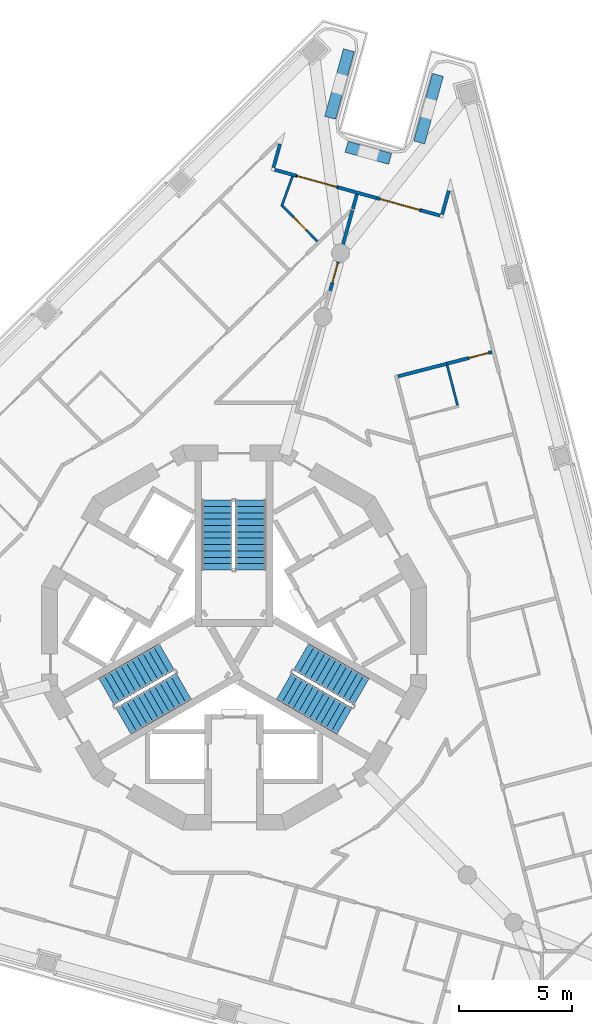
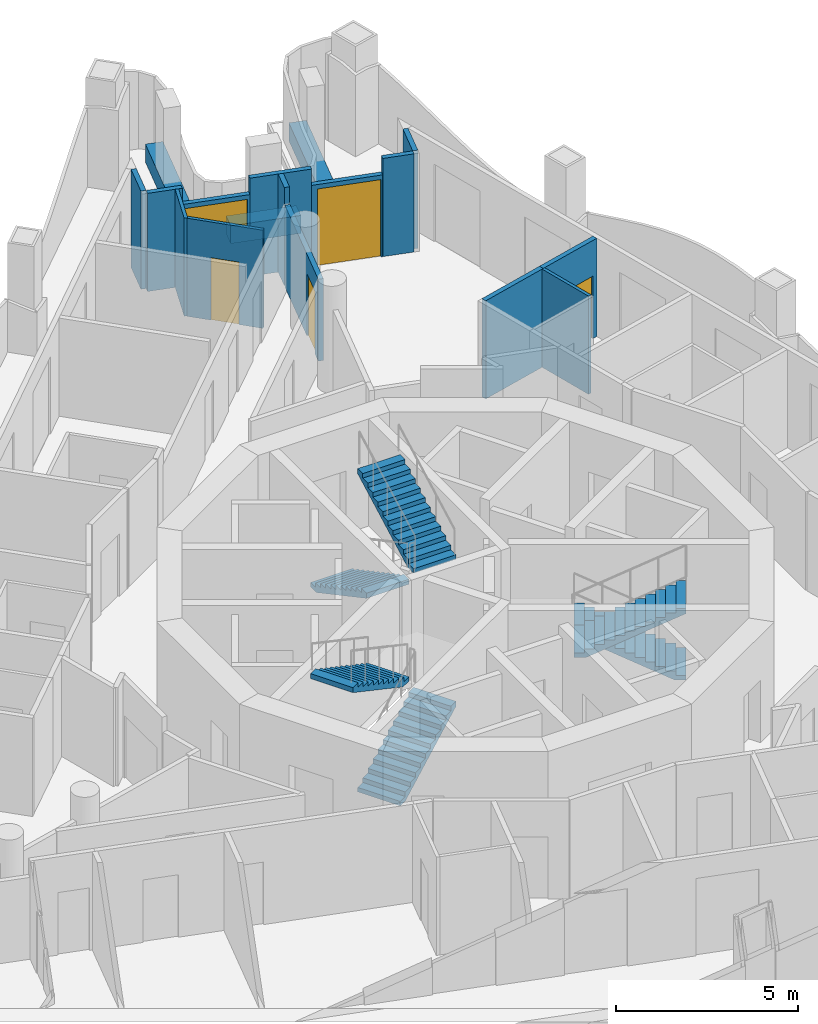
# One storey, part 8 of 14: 17 walls, 6 stair flights, 5 doors, 5 openings, 3 elements without a shape of their own.
"""IFC4 building model written with IfcOpenShell, lengths in metres."""

import ifcopenshell
import ifcopenshell.guid

model = None  # the IFC model being written
_history = None  # IfcOwnerHistory: only IFC2X3 demands one
_inside = {}  # id of a spatial element -> (the spatial element, [elements in it])
_under = {}  # id of a project, library or spatial element -> (it, [spatial elements below it])
_declared = {}  # id of a project -> (the project, [libraries it declares])
_typed = {}  # id of a type object -> (the type object, [elements of that type])
_made_of = {}  # id of a material, layer set ... -> (it, [elements and type objects made of it])


def new_model(schema):
    """Start an empty IFC model of exactly this schema.

    Asked for "IFC4X3", IfcOpenShell would pick the latest addendum, in which some entities
    have other attributes; the version numbers below select the first issue.
    IFC2X3 requires an IfcOwnerHistory on every rooted entity: one is made here for all.
    """
    global model, _history
    if schema == "IFC4X3":
        model = ifcopenshell.file(schema_version=(4, 3, 0, 0))
    else:
        model = ifcopenshell.file(schema=schema)
    _inside.clear()
    _under.clear()
    _declared.clear()
    _typed.clear()
    _made_of.clear()
    _history = None
    if model.schema == "IFC2X3":
        org = make("IfcOrganization", Name="unknown")
        user = make(
            "IfcPersonAndOrganization",
            ThePerson=make("IfcPerson", FamilyName="unknown"),
            TheOrganization=org,
        )
        app = make(
            "IfcApplication",
            ApplicationDeveloper=org,
            Version="unknown",
            ApplicationFullName="unknown",
            ApplicationIdentifier="unknown",
        )
        _history = make(
            "IfcOwnerHistory",
            OwningUser=user,
            OwningApplication=app,
            ChangeAction="ADDED",
            CreationDate=0,
        )
    return model


def make(cls, **values):
    """One entity of the class cls with the attributes given. An attribute that is None is left unset."""
    return model.create_entity(
        cls, **{name: value for name, value in values.items() if value is not None}
    )


def rooted(cls, **values):
    """An entity with a GlobalId (a new one), such as an element, a storey or a relation."""
    return make(cls, GlobalId=ifcopenshell.guid.new(), OwnerHistory=_history, **values)


def si_unit(unit_type, name, prefix=None):
    """IfcSIUnit, for example si_unit("LENGTHUNIT", "METRE", prefix="MILLI")."""
    return make("IfcSIUnit", UnitType=unit_type, Prefix=prefix, Name=name)


def assignment(units):
    """IfcUnitAssignment: the units of a project."""
    return None if units is None else make("IfcUnitAssignment", Units=units)


def point(xyz):
    """IfcCartesianPoint."""
    return None if xyz is None else make("IfcCartesianPoint", Coordinates=xyz)


def direction(xyz):
    """IfcDirection."""
    return None if xyz is None else make("IfcDirection", DirectionRatios=xyz)


def frame(location, z_axis=None, x_axis=None):
    """IfcAxis2Placement3D, a coordinate frame: its origin and axes. An axis left out is left unset."""
    return make(
        "IfcAxis2Placement3D",
        Location=point(location),
        Axis=direction(z_axis),
        RefDirection=direction(x_axis),
    )


def frame_2d(location, x_axis=None):
    """IfcAxis2Placement2D, a coordinate frame in the plane: its origin and x axis."""
    return make(
        "IfcAxis2Placement2D", Location=point(location), RefDirection=direction(x_axis)
    )


def origin():
    """The frame at (0, 0, 0) with its axes left unset."""
    return frame((0.0, 0.0, 0.0))


def place(relative_to, where):
    """IfcLocalPlacement: puts the frame where relative to a parent placement (None: the world)."""
    return make(
        "IfcLocalPlacement", PlacementRelTo=relative_to, RelativePlacement=where
    )


def context(
    kind, dimensions, precision=None, world=None, true_north=None, identifier=None
):
    """IfcGeometricRepresentationContext, for example the 3D "Model" context."""
    return make(
        "IfcGeometricRepresentationContext",
        ContextIdentifier=identifier,
        ContextType=kind,
        CoordinateSpaceDimension=dimensions,
        Precision=precision,
        WorldCoordinateSystem=world,
        TrueNorth=true_north,
    )


def subcontext(parent, identifier, kind, view, scale=None):
    """IfcGeometricRepresentationSubContext, for example "Body" below "Model"."""
    return make(
        "IfcGeometricRepresentationSubContext",
        ContextIdentifier=identifier,
        ContextType=kind,
        ParentContext=parent,
        TargetScale=scale,
        TargetView=view,
    )


def project(units=None, contexts=None):
    """IfcProject with its units and contexts."""
    return rooted(
        "IfcProject",
        Name="project",
        RepresentationContexts=contexts,
        UnitsInContext=assignment(units),
    )


def spatial(cls, under=None, at=None, **own):
    """A site, building, storey or space (cls), placed at a placement, below another one or the project."""
    s = rooted(cls, ObjectPlacement=at, **own)
    if under is not None:
        _under.setdefault(under.id(), (under, []))[1].append(s)
    return s


def polyline(points):
    """IfcPolyline through the points."""
    return make("IfcPolyline", Points=[point(p) for p in points])


def profile(cls, at=None, kind="AREA", **sizes):
    """A parametric profile (cls). Its sizes go by their IFC names, for example OverallWidth=200.0."""
    return make(cls, ProfileType=kind, Position=at, **sizes)


def rectangle(**sizes):
    """IfcRectangleProfileDef."""
    return profile("IfcRectangleProfileDef", **sizes)


def outline(outer, holes=None, kind="AREA"):
    """IfcArbitraryClosedProfileDef: a profile drawn as a closed curve; with holes, ...WithVoids."""
    if holes is None:
        return make("IfcArbitraryClosedProfileDef", ProfileType=kind, OuterCurve=outer)
    return make(
        "IfcArbitraryProfileDefWithVoids",
        ProfileType=kind,
        OuterCurve=outer,
        InnerCurves=holes,
    )


def extrude(swept, where, along, depth):
    """IfcExtrudedAreaSolid: the profile swept, set in the frame where, extruded along a direction by depth."""
    return make(
        "IfcExtrudedAreaSolid",
        SweptArea=swept,
        Position=where,
        ExtrudedDirection=direction(along),
        Depth=depth,
    )


def shape(context_of_items, identifier, shape_type, items):
    """IfcShapeRepresentation: the items that make up one representation, for example the "Body"."""
    return make(
        "IfcShapeRepresentation",
        ContextOfItems=context_of_items,
        RepresentationIdentifier=identifier,
        RepresentationType=shape_type,
        Items=items,
    )


def material(Name=None, Category=None):
    """IfcMaterial."""
    return make("IfcMaterial", Name=Name, Category=Category)


def layer(
    of_material, thickness, ventilated=None, Name=None, Category=None, Priority=None
):
    """IfcMaterialLayer: one layer of a wall or slab, of a material (None: an air gap)."""
    return make(
        "IfcMaterialLayer",
        Material=of_material,
        LayerThickness=thickness,
        IsVentilated=ventilated,
        Name=Name,
        Category=Category,
        Priority=Priority,
    )


def layer_set(layers, Name=None):
    """IfcMaterialLayerSet."""
    return make("IfcMaterialLayerSet", MaterialLayers=layers, LayerSetName=Name)


def made_of(thing, what):
    """Note that an element or type object is made of a material, layer set ...; save() writes the relation."""
    if what is not None:
        _made_of.setdefault(what.id(), (what, []))[1].append(thing)
    return thing


def type_object(cls, material=None, **own):
    """A type object (cls), such as IfcWallType, which elements share."""
    return made_of(rooted(cls, **own), material)


def element(
    cls,
    number,
    at=None,
    inside=None,
    cuts=None,
    type_object=None,
    material=None,
    context=None,
    identifier="Body",
    shape_type=None,
    held_by="IfcProductDefinitionShape",
    body=None,
    shapes=None,
    **own,
):
    """One element of the class cls, such as IfcWall. Its Tag is "e" and its number.

    at: its placement. inside: the storey or other place that contains it. cuts: it is an
    opening in that element (IfcRelVoidsElement). A single representation is given by context,
    identifier, shape_type and body (its items); several are given by shapes. held_by: the class
    of the entity that holds the representations. save() writes the other relations.
    """
    e = rooted(cls, Tag="e%d" % number, ObjectPlacement=at, **own)
    if body is not None:
        shapes = [shape(context, identifier, shape_type, body)]
    if shapes is not None:
        e.Representation = make(held_by, Representations=shapes)
    if inside is not None:
        _inside.setdefault(inside.id(), (inside, []))[1].append(e)
    if cuts is not None:
        rooted(
            "IfcRelVoidsElement", RelatingBuildingElement=cuts, RelatedOpeningElement=e
        )
    if type_object is not None:
        _typed.setdefault(type_object.id(), (type_object, []))[1].append(e)
    return made_of(e, material)


def fill(opening, filler):
    """IfcRelFillsElement: the door or window that sits in an opening."""
    return rooted(
        "IfcRelFillsElement",
        RelatingOpeningElement=opening,
        RelatedBuildingElement=filler,
    )


def aggregate(whole, parts):
    """IfcRelAggregates: a whole, such as a stair, and the parts it consists of."""
    return rooted("IfcRelAggregates", RelatingObject=whole, RelatedObjects=parts)


def save(model, path):
    """Write the relations noted so far, then the file.

    IfcRelAggregates (storeys below a building ...), IfcRelContainedInSpatialStructure (elements
    in a storey), IfcRelDefinesByType, IfcRelAssociatesMaterial and IfcRelDeclares: one each for
    every whole, place, type object, material and project.
    """
    for whole, parts in _under.values():
        aggregate(whole, parts)
    for where, things in _inside.values():
        rooted(
            "IfcRelContainedInSpatialStructure",
            RelatedElements=things,
            RelatingStructure=where,
        )
    for kind, things in _typed.values():
        rooted("IfcRelDefinesByType", RelatedObjects=things, RelatingType=kind)
    for what, things in _made_of.values():
        rooted("IfcRelAssociatesMaterial", RelatedObjects=things, RelatingMaterial=what)
    for by, libraries in _declared.values():
        rooted("IfcRelDeclares", RelatingContext=by, RelatedDefinitions=libraries)
    model.write(path)


model = new_model("IFC4")

# Units and contexts
model_context = context("Model", 3, precision=1e-05, world=origin(), true_north=direction((0.0, 1.0)))
body_context = subcontext(model_context, "Body", "Model", "MODEL_VIEW")
ifc_project = project(units=[si_unit("LENGTHUNIT", "METRE"), si_unit("AREAUNIT", "SQUARE_METRE"), si_unit("VOLUMEUNIT", "CUBIC_METRE"), si_unit("PLANEANGLEUNIT", "RADIAN"), si_unit("MASSUNIT", "GRAM", prefix="KILO")], contexts=[model_context])

# Site, building, storey
site_placement = place(None, origin())
site = spatial("IfcSite", under=ifc_project, at=site_placement, CompositionType="ELEMENT")
building_placement = place(site_placement, origin())
building = spatial("IfcBuilding", under=site, at=building_placement, Name="Trine Commons Tower", CompositionType="ELEMENT")
storey_placement = place(building_placement, frame((0.0, 0.0, 252.89990234375)))
storey = spatial("IfcBuildingStorey", under=building, at=storey_placement, Name="L66", CompositionType="ELEMENT", Elevation=252.89990234375)

# Walls
ifc_material_1 = material(Name="Aluminium-framed insulated wall panel", Category="aluminium")
ifc_layer_1 = layer(ifc_material_1, 0.14990234375)
ifc_layer_set_1 = layer_set([ifc_layer_1], Name="Aluminium-framed insulated wall panel")
wall_type_1 = type_object("IfcWallType", Name="Glazed frame wall 150, EI 60", PredefinedType="SOLIDWALL", material=ifc_layer_set_1)
wall_1_placement = place(storey_placement, frame((82.07470703125, 84.444091796875, 0.0), z_axis=(0.0, 0.0, 1.0), x_axis=(-0.267185113528, -0.963645222636, 0.0)))
element("IfcWall", 1, at=wall_1_placement, inside=storey, type_object=wall_type_1, Name="Glazed frame wall R2", PredefinedType="SOLIDWALL", context=body_context, shape_type="SweptSolid", body=[
    extrude(outline(polyline([(0.1494140625, 0.074951171875), (0.1494140625, -0.074951171875), (1.235107421875, -0.074951171875), (1.235107421875, 0.074951171875), (0.1494140625, 0.074951171875)])), origin(), (0.0, 0.0, 1.0), 3.300048828125),
])
wall_2_placement = place(storey_placement, frame((81.69091796875, 83.19091796875, 0.0), z_axis=(0.0, 0.0, 1.0), x_axis=(0.963695763094, -0.267002764395, 0.0)))
element("IfcWall", 2, at=wall_2_placement, inside=storey, type_object=wall_type_1, Name="Glazed frame wall P1.1", PredefinedType="SOLIDWALL", context=body_context, shape_type="SweptSolid", body=[
    extrude(outline(polyline([(0.110107421875, -0.074951171875), (1.10009765625, -0.074951171875), (1.10009765625, 0.074951171875), (0.110107421875, 0.074951171875), (0.110107421875, -0.074951171875)])), origin(), (0.0, 0.0, 1.0), 3.300048828125),
])

# Wall, opening, door
wall_3_placement = place(storey_placement, frame((82.7509765625, 82.897216796875, 0.0), z_axis=(0.0, 0.0, 1.0), x_axis=(0.963605233176, -0.267329299921, 0.0)))
wall_3 = element("IfcWall", 3, at=wall_3_placement, inside=storey, type_object=wall_type_1, Name="Glazed frame wall P1.2", PredefinedType="SOLIDWALL", context=body_context, shape_type="SweptSolid", body=[
    extrude(outline(polyline([(0.0, -0.074951171875), (1.92138671875, -0.074951171875), (1.92138671875, 0.074951171875), (0.0, 0.074951171875), (0.0, -0.074951171875)])), origin(), (0.0, 0.0, 1.0), 2.75),
])
opening_1_placement = place(wall_3_placement, frame((0.050048828125, 0.0, 0.0)))
opening_1 = element("IfcOpeningElement", 4, at=opening_1_placement, cuts=wall_3, Name="Opening BD-7P1-01", PredefinedType="OPENING", context=body_context, shape_type="SweptSolid", body=[
    extrude(rectangle(XDim=1.800048828125, YDim=2.60009765625, at=frame_2d((0.89990234375, 1.300048828125))), frame((0.0, 0.0849609375, 0.0), z_axis=(0.0, -1.0, 0.0), x_axis=(1.0, 0.0, 0.0)), (0.0, 0.0, 1.0), 0.169921875),
])
ifc_material_2 = material(Name="Anodised aluminium frame with double glazing", Category="aluminium")
door_type_1 = type_object("IfcDoorType", Name="Sliding loggia door 1800x2600", OperationType="SLIDING_TO_LEFT", PredefinedType="DOOR", material=ifc_material_2)
door_1_placement = place(opening_1_placement, origin())
door_1 = element("IfcDoor", 5, at=door_1_placement, inside=storey, type_object=door_type_1, Name="Loggia door P1 1", OperationType="SLIDING_TO_LEFT", OverallHeight=2.60009765625, OverallWidth=1.800048828125, PredefinedType="DOOR", context=body_context, shape_type="SweptSolid", body=[
    extrude(rectangle(XDim=1.800048828125, YDim=2.60009765625, at=frame_2d((0.89990234375, 1.300048828125))), frame((0.0, 0.02490234375, 0.0), z_axis=(0.0, -1.0, 0.0), x_axis=(1.0, 0.0, 0.0)), (0.0, 0.0, 1.0), 0.050048828125),
])
fill(opening_1, door_1)

# Wall
wall_4_placement = place(storey_placement, frame((84.6025390625, 82.383544921875, 0.0), z_axis=(0.0, 0.0, 1.0), x_axis=(0.963649164221, -0.267170897174, 0.0)))
element("IfcWall", 6, at=wall_4_placement, inside=storey, type_object=wall_type_1, Name="Glazed frame wall P1.3", PredefinedType="SOLIDWALL", context=body_context, shape_type="SweptSolid", body=[
    extrude(outline(polyline([(0.0, -0.074951171875), (1.757080078125, -0.074951171875), (1.757080078125, 0.074951171875), (0.0, 0.074951171875), (0.0, -0.074951171875)])), origin(), (0.0, 0.0, 1.0), 3.300048828125),
])

# Wall, opening, door
wall_5_placement = place(storey_placement, frame((86.2958984375, 81.9140625, 0.0), z_axis=(0.0, 0.0, 1.0), x_axis=(0.963614750545, -0.267294991596, 0.0)))
wall_5 = element("IfcWall", 7, at=wall_5_placement, inside=storey, type_object=wall_type_1, Name="Glazed frame wall P1.4", PredefinedType="SOLIDWALL", context=body_context, shape_type="SweptSolid", body=[
    extrude(outline(polyline([(0.0, -0.074951171875), (2.021484375, -0.074951171875), (2.021484375, 0.074951171875), (0.0, 0.074951171875), (0.0, -0.074951171875)])), origin(), (0.0, 0.0, 1.0), 2.75),
])
opening_2_placement = place(wall_5_placement, frame((0.17138671875, 0.0, 0.0)))
opening_2 = element("IfcOpeningElement", 8, at=opening_2_placement, cuts=wall_5, Name="Opening BD-7P1-02", PredefinedType="OPENING", context=body_context, shape_type="SweptSolid", body=[
    extrude(rectangle(XDim=1.800048828125, YDim=2.60009765625, at=frame_2d((0.89990234375, 1.300048828125))), frame((0.0, 0.0849609375, 0.0), z_axis=(0.0, -1.0, 0.0), x_axis=(1.0, 0.0, 0.0)), (0.0, 0.0, 1.0), 0.169921875),
])
door_2_placement = place(opening_2_placement, origin())
door_2 = element("IfcDoor", 9, at=door_2_placement, inside=storey, type_object=door_type_1, Name="Loggia door P1 2", OperationType="SLIDING_TO_LEFT", OverallHeight=2.60009765625, OverallWidth=1.800048828125, PredefinedType="DOOR", context=body_context, shape_type="SweptSolid", body=[
    extrude(rectangle(XDim=1.800048828125, YDim=2.60009765625, at=frame_2d((0.89990234375, 1.300048828125))), frame((0.0, 0.02490234375, 0.0), z_axis=(0.0, -1.0, 0.0), x_axis=(1.0, 0.0, 0.0)), (0.0, 0.0, 1.0), 0.050048828125),
])
fill(opening_2, door_2)

# Walls
wall_6_placement = place(storey_placement, frame((88.24365234375, 81.373779296875, 0.0), z_axis=(0.0, 0.0, 1.0), x_axis=(0.963668166343, -0.267102349627, 0.0)))
element("IfcWall", 10, at=wall_6_placement, inside=storey, type_object=wall_type_1, Name="Glazed frame wall P1.5", PredefinedType="SOLIDWALL", context=body_context, shape_type="SweptSolid", body=[
    extrude(outline(polyline([(0.889892578125, 0.074951171875), (0.0, 0.074951171875), (0.0, -0.074951171875), (0.889892578125, -0.074951171875), (0.889892578125, 0.074951171875)])), origin(), (0.0, 0.0, 1.0), 3.300048828125),
])
wall_7_placement = place(storey_placement, frame((89.164306640625, 81.082275390625, 0.0), z_axis=(0.0, 0.0, 1.0), x_axis=(0.267185113528, 0.963645222636, 0.0)))
element("IfcWall", 11, at=wall_7_placement, inside=storey, type_object=wall_type_1, Name="Glazed frame wall R4", PredefinedType="SOLIDWALL", context=body_context, shape_type="SweptSolid", body=[
    extrude(outline(polyline([(0.110107421875, 0.074951171875), (0.110107421875, -0.074951171875), (1.19580078125, -0.074951171875), (1.19580078125, 0.074951171875), (0.110107421875, 0.074951171875)])), origin(), (0.0, 0.0, 1.0), 3.300048828125),
])
ifc_material_3 = material(Name="Planter trough, precast concrete C40/50", Category="concrete")
ifc_layer_2 = layer(ifc_material_3, 0.5)
ifc_layer_set_2 = layer_set([ifc_layer_2], Name="Planter trough, precast concrete C40/50")
wall_type_2 = type_object("IfcWallType", Name="Planter trough 500x600", PredefinedType="PARAPET", material=ifc_layer_set_2)
wall_8_placement = place(storey_placement, frame((85.077392578125, 88.44189453125, 0.0), z_axis=(0.0, 0.0, 1.0), x_axis=(-0.267286412249, -0.96361713031, 0.0)))
element("IfcWall", 12, at=wall_8_placement, inside=storey, type_object=wall_type_2, Name="Planter 4", PredefinedType="PARAPET", context=body_context, shape_type="SweptSolid", body=[
    extrude(rectangle(XDim=3.10009765625, YDim=0.5, at=frame_2d((1.550048828125, 0.0))), origin(), (0.0, 0.0, 1.0), 0.60009765625),
])
wall_9_placement = place(storey_placement, frame((84.97314453125, 84.174560546875, 0.0), z_axis=(0.0, 0.0, 1.0), x_axis=(0.963636738571, -0.267215710759, 0.0)))
element("IfcWall", 13, at=wall_9_placement, inside=storey, type_object=wall_type_2, Name="Planter 5", PredefinedType="PARAPET", context=body_context, shape_type="SweptSolid", body=[
    extrude(rectangle(XDim=2.0, YDim=0.5, at=frame_2d((1.0, 0.0))), origin(), (0.0, 0.0, 1.0), 0.60009765625),
])
wall_10_placement = place(storey_placement, frame((88.1806640625, 84.364501953125, 0.0), z_axis=(0.0, 0.0, 1.0), x_axis=(0.267213283561, 0.963637411628, 0.0)))
element("IfcWall", 14, at=wall_10_placement, inside=storey, type_object=wall_type_2, Name="Planter 6", PredefinedType="PARAPET", context=body_context, shape_type="SweptSolid", body=[
    extrude(rectangle(XDim=3.10009765625, YDim=0.5, at=frame_2d((1.550048828125, 0.0))), origin(), (0.0, 0.0, 1.0), 0.60009765625),
])

# Wall, opening, door
ifc_material_4 = material(Name="Gypsum plasterboard on steel stud", Category="steel")
ifc_layer_3 = layer(ifc_material_4, 0.14990234375)
ifc_layer_set_3 = layer_set([ifc_layer_3], Name="Gypsum plasterboard on steel stud")
wall_type_3 = type_object("IfcWallType", Name="Unit and corridor wall 150 mm, EI 60", PredefinedType="PARTITIONING", material=ifc_layer_set_3)
wall_11_placement = place(storey_placement, frame((84.25, 77.826904296875, 0.0), z_axis=(0.0, 0.0, 1.0), x_axis=(0.267414329718, 0.963581639645, 0.0)))
wall_11 = element("IfcWall", 15, at=wall_11_placement, inside=storey, type_object=wall_type_3, Name="Partition 062", PredefinedType="PARTITIONING", context=body_context, shape_type="SweptSolid", body=[
    extrude(rectangle(XDim=3.675537109375, YDim=0.14990234375, at=frame_2d((1.837890625, 0.0))), origin(), (0.0, 0.0, 1.0), 2.75),
])
opening_3_placement = place(wall_11_placement, frame((0.357421875, 0.0, 0.0)))
opening_3 = element("IfcOpeningElement", 16, at=opening_3_placement, cuts=wall_11, Name="Opening D-7B01", PredefinedType="OPENING", context=body_context, shape_type="SweptSolid", body=[
    extrude(rectangle(XDim=0.89990234375, YDim=2.10009765625, at=frame_2d((0.449951171875, 1.050048828125))), frame((0.0, 0.0849609375, 0.0), z_axis=(0.0, -1.0, 0.0), x_axis=(1.0, 0.0, 0.0)), (0.0, 0.0, 1.0), 0.169921875),
])
ifc_material_5 = material(Name="Timber fire door set", Category="wood")
door_type_2 = type_object("IfcDoorType", Name="Cluster entrance door 900 x 2100, FD30S", OperationType="NOTDEFINED", PredefinedType="DOOR", material=ifc_material_5)
door_3_placement = place(opening_3_placement, frame((0.89990234375, 0.0, 0.0), z_axis=(0.0, 0.0, 1.0), x_axis=(-1.0, 0.0, 0.0)))
door_3 = element("IfcDoor", 17, at=door_3_placement, inside=storey, type_object=door_type_2, Name="Door D-7B01", OperationType="SINGLE_SWING_RIGHT", OverallHeight=2.10009765625, OverallWidth=0.89990234375, PredefinedType="DOOR", context=body_context, shape_type="SweptSolid", body=[
    extrude(rectangle(XDim=0.89990234375, YDim=2.10009765625, at=frame_2d((0.449951171875, 1.050048828125))), frame((0.0, 0.02490234375, 0.0), z_axis=(0.0, -1.0, 0.0), x_axis=(1.0, 0.0, 0.0)), (0.0, 0.0, 1.0), 0.050048828125),
])
fill(opening_3, door_3)

# Walls
wall_12_placement = place(storey_placement, frame((85.25, 81.429931640625, 0.0), z_axis=(0.0, 0.0, 1.0), x_axis=(0.267118275652, 0.963663751945, 0.0)))
element("IfcWall", 18, at=wall_12_placement, inside=storey, type_object=wall_type_3, Name="Partition 067", PredefinedType="PARTITIONING", context=body_context, shape_type="SweptSolid", body=[
    extrude(rectangle(XDim=0.6708984375, YDim=0.14990234375, at=frame_2d((0.33544921875, 0.0))), origin(), (0.0, 0.0, 1.0), 3.300048828125),
])
wall_13_placement = place(storey_placement, frame((87.24462890625, 74.038818359375, 0.0), z_axis=(0.0, 0.0, 1.0), x_axis=(0.968111523226, 0.250519617189, 0.0)))
element("IfcWall", 19, at=wall_13_placement, inside=storey, type_object=wall_type_3, Name="Partition 073", PredefinedType="PARTITIONING", context=body_context, shape_type="SweptSolid", body=[
    extrude(rectangle(XDim=2.278564453125, YDim=0.14990234375, at=frame_2d((1.13916015625, 0.0))), origin(), (0.0, 0.0, 1.0), 3.300048828125),
])

# Wall, opening, door
wall_14_placement = place(storey_placement, frame((89.39404296875, 74.594970703125, 0.0), z_axis=(0.0, 0.0, 1.0), x_axis=(0.968142464443, 0.250400017058, 0.0)))
wall_14 = element("IfcWall", 20, at=wall_14_placement, inside=storey, type_object=wall_type_3, Name="Partition 089", PredefinedType="PARTITIONING", context=body_context, shape_type="SweptSolid", body=[
    extrude(rectangle(XDim=2.06494140625, YDim=0.14990234375, at=frame_2d((1.032470703125, 0.0))), origin(), (0.0, 0.0, 1.0), 3.300048828125),
])
opening_4_placement = place(wall_14_placement, frame((1.01513671875, 0.0, 0.0)))
opening_4 = element("IfcOpeningElement", 21, at=opening_4_placement, cuts=wall_14, Name="Opening D-7B10", PredefinedType="OPENING", context=body_context, shape_type="SweptSolid", body=[
    extrude(rectangle(XDim=0.89990234375, YDim=2.10009765625, at=frame_2d((0.449951171875, 1.050048828125))), frame((0.0, 0.0849609375, 0.0), z_axis=(0.0, -1.0, 0.0), x_axis=(1.0, 0.0, 0.0)), (0.0, 0.0, 1.0), 0.169921875),
])
door_type_3 = type_object("IfcDoorType", Name="Bedroom door 900 x 2100, FD30S", OperationType="NOTDEFINED", PredefinedType="DOOR", material=ifc_material_5)
door_4_placement = place(opening_4_placement, frame((0.89990234375, 0.0, 0.0), z_axis=(0.0, 0.0, 1.0), x_axis=(-1.0, 0.0, 0.0)))
door_4 = element("IfcDoor", 22, at=door_4_placement, inside=storey, type_object=door_type_3, Name="Door D-7B10", OperationType="SINGLE_SWING_LEFT", OverallHeight=2.10009765625, OverallWidth=0.89990234375, PredefinedType="DOOR", context=body_context, shape_type="SweptSolid", body=[
    extrude(rectangle(XDim=0.89990234375, YDim=2.10009765625, at=frame_2d((0.449951171875, 1.050048828125))), frame((0.0, 0.02490234375, 0.0), z_axis=(0.0, -1.0, 0.0), x_axis=(1.0, 0.0, 0.0)), (0.0, 0.0, 1.0), 0.050048828125),
])
fill(opening_4, door_4)

# Wall
ifc_layer_4 = layer(ifc_material_4, 0.10009765625)
ifc_layer_set_4 = layer_set([ifc_layer_4], Name="Gypsum plasterboard on steel stud")
wall_type_4 = type_object("IfcWallType", Name="Unit partition 100 mm, no rating", PredefinedType="PARTITIONING", material=ifc_layer_set_4)
wall_15_placement = place(storey_placement, frame((82.10498046875, 81.5419921875, 0.0), z_axis=(0.0, 0.0, 1.0), x_axis=(0.339793564438, 0.940500044427, 0.0)))
element("IfcWall", 23, at=wall_15_placement, inside=storey, type_object=wall_type_4, Name="Partition 051", PredefinedType="PARTITIONING", context=body_context, shape_type="SweptSolid", body=[
    extrude(rectangle(XDim=1.408203125, YDim=0.10009765625, at=frame_2d((0.7041015625, 0.0))), origin(), (0.0, 0.0, 1.0), 3.300048828125),
])

# Wall, opening, door
wall_16_placement = place(storey_placement, frame((82.156982421875, 81.55322265625, 0.0), z_axis=(0.0, 0.0, 1.0), x_axis=(0.700793702446, -0.713363993073, 0.0)))
wall_16 = element("IfcWall", 24, at=wall_16_placement, inside=storey, type_object=wall_type_4, Name="Partition 052", PredefinedType="PARTITIONING", context=body_context, shape_type="SweptSolid", body=[
    extrude(rectangle(XDim=2.17529296875, YDim=0.10009765625, at=frame_2d((1.087646484375, 0.0))), origin(), (0.0, 0.0, 1.0), 3.300048828125),
])
opening_5_placement = place(wall_16_placement, frame((0.6875, 0.0, 0.0)))
opening_5 = element("IfcOpeningElement", 25, at=opening_5_placement, cuts=wall_16, Name="Opening D-7B29", PredefinedType="OPENING", context=body_context, shape_type="SweptSolid", body=[
    extrude(rectangle(XDim=0.800048828125, YDim=2.10009765625, at=frame_2d((0.39990234375, 1.050048828125))), frame((0.0, 0.06005859375, 0.0), z_axis=(0.0, -1.0, 0.0), x_axis=(1.0, 0.0, 0.0)), (0.0, 0.0, 1.0), 0.1201171875),
])
ifc_material_6 = material(Name="Painted timber", Category="wood")
door_type_4 = type_object("IfcDoorType", Name="Internal door 800 x 2100, NOT RATED", OperationType="NOTDEFINED", PredefinedType="DOOR", material=ifc_material_6)
door_5_placement = place(opening_5_placement, frame((0.800048828125, 0.0, 0.0), z_axis=(0.0, 0.0, 1.0), x_axis=(-1.0, 0.0, 0.0)))
door_5 = element("IfcDoor", 26, at=door_5_placement, inside=storey, type_object=door_type_4, Name="Door D-7B29", OperationType="SINGLE_SWING_RIGHT", OverallHeight=2.10009765625, OverallWidth=0.800048828125, PredefinedType="DOOR", context=body_context, shape_type="SweptSolid", body=[
    extrude(rectangle(XDim=0.800048828125, YDim=2.10009765625, at=frame_2d((0.39990234375, 1.050048828125))), frame((0.0, 0.02490234375, 0.0), z_axis=(0.0, -1.0, 0.0), x_axis=(1.0, 0.0, 0.0)), (0.0, 0.0, 1.0), 0.050048828125),
])
fill(opening_5, door_5)

# Wall
wall_17_placement = place(storey_placement, frame((89.416748046875, 74.5234375, 0.0), z_axis=(0.0, 0.0, 1.0), x_axis=(0.250771850977, -0.968046217263, 0.0)))
element("IfcWall", 27, at=wall_17_placement, inside=storey, type_object=wall_type_4, Name="Partition 090", PredefinedType="PARTITIONING", context=body_context, shape_type="SweptSolid", body=[
    extrude(rectangle(XDim=1.825439453125, YDim=0.10009765625, at=frame_2d((0.91259765625, 0.0))), origin(), (0.0, 0.0, 1.0), 3.300048828125),
])

# Stair, stair flights
ifc_material_7 = material(Name="Concrete C50/60", Category="concrete")
stair_type = type_object("IfcStairType", Name="Exit stair, dog-leg, 24 risers of 150 mm", PredefinedType="HALF_TURN_STAIR", material=ifc_material_7)
stair_1_placement = place(storey_placement, origin())
stair_1 = element("IfcStair", 28, at=stair_1_placement, inside=storey, type_object=stair_type, Name="L66 Exit stair ST1C", PredefinedType="HALF_TURN_STAIR")
stair_flight_type = type_object("IfcStairFlightType", Name="Stair flight, 1350 wide, 12 risers of 150 mm", PredefinedType="STRAIGHT", material=ifc_material_7)
stair_flight_1_placement = place(storey_placement, frame((79.25, 68.570556640625, 0.0), z_axis=(0.0, 0.0, 1.0), x_axis=(0.0, -1.0, 0.0)))
stair_flight_1 = element("IfcStairFlight", 29, at=stair_flight_1_placement, type_object=stair_flight_type, Name="ST1C flight 1", NumberOfRisers=12, NumberOfTreads=11, PredefinedType="STRAIGHT", RiserHeight=0.15, TreadLength=0.28, context=body_context, shape_type="SweptSolid", body=[
    extrude(outline(polyline([(0.0, 0.0), (0.0, 0.14990234375), (0.280029296875, 0.14990234375), (0.280029296875, 0.300048828125), (0.56005859375, 0.300048828125), (0.56005859375, 0.449951171875), (0.840087890625, 0.449951171875), (0.840087890625, 0.60009765625), (1.1201171875, 0.60009765625), (1.1201171875, 0.75), (1.39990234375, 0.75), (1.39990234375, 0.89990234375), (1.679931640625, 0.89990234375), (1.679931640625, 1.050048828125), (1.9599609375, 1.050048828125), (1.9599609375, 1.199951171875), (2.239990234375, 1.199951171875), (2.239990234375, 1.35009765625), (2.52001953125, 1.35009765625), (2.52001953125, 1.5), (2.800048828125, 1.5), (2.800048828125, 1.64990234375), (3.080078125, 1.64990234375), (3.080078125, 1.800048828125), (3.080078125, 1.47998046875), (0.3173828125, 0.0), (0.0, 0.0)])), frame((0.0, 0.675048828125, 0.0), z_axis=(0.0, -1.0, 0.0), x_axis=(1.0, 0.0, 0.0)), (0.0, 0.0, 1.0), 1.35009765625),
])
stair_flight_2_placement = place(storey_placement, frame((80.75, 65.490478515625, 1.800048828125), z_axis=(0.0, 0.0, 1.0), x_axis=(0.0, 1.0, 0.0)))
stair_flight_2 = element("IfcStairFlight", 30, at=stair_flight_2_placement, type_object=stair_flight_type, Name="ST1C flight 2", NumberOfRisers=12, NumberOfTreads=11, PredefinedType="STRAIGHT", RiserHeight=0.15, TreadLength=0.28, context=body_context, shape_type="SweptSolid", body=[
    extrude(outline(polyline([(0.0, 0.0), (0.0, 0.14990234375), (0.280029296875, 0.14990234375), (0.280029296875, 0.300048828125), (0.56005859375, 0.300048828125), (0.56005859375, 0.449951171875), (0.840087890625, 0.449951171875), (0.840087890625, 0.60009765625), (1.1201171875, 0.60009765625), (1.1201171875, 0.75), (1.39990234375, 0.75), (1.39990234375, 0.89990234375), (1.679931640625, 0.89990234375), (1.679931640625, 1.050048828125), (1.9599609375, 1.050048828125), (1.9599609375, 1.199951171875), (2.239990234375, 1.199951171875), (2.239990234375, 1.35009765625), (2.52001953125, 1.35009765625), (2.52001953125, 1.5), (2.800048828125, 1.5), (2.800048828125, 1.64990234375), (3.080078125, 1.64990234375), (3.080078125, 1.800048828125), (3.080078125, 1.47998046875), (0.3173828125, 0.0), (0.0, 0.0)])), frame((0.0, 0.675048828125, 0.0), z_axis=(0.0, -1.0, 0.0), x_axis=(1.0, 0.0, 0.0)), (0.0, 0.0, 1.0), 1.35009765625),
])
aggregate(stair_1, [stair_flight_1, stair_flight_2])

stair_2_placement = place(storey_placement, origin())
stair_2 = element("IfcStair", 31, at=stair_2_placement, inside=storey, type_object=stair_type, Name="L66 Exit stair ST2C", PredefinedType="HALF_TURN_STAIR")
stair_flight_3_placement = place(storey_placement, frame((75.11767578125, 58.815185546875, 0.0), z_axis=(0.0, 0.0, 1.0), x_axis=(0.866025403784, 0.5, 0.0)))
stair_flight_3 = element("IfcStairFlight", 32, at=stair_flight_3_placement, type_object=stair_flight_type, Name="ST2C flight 1", NumberOfRisers=12, NumberOfTreads=11, PredefinedType="STRAIGHT", RiserHeight=0.15, TreadLength=0.28, context=body_context, shape_type="SweptSolid", body=[
    extrude(outline(polyline([(0.0, 0.0), (0.0, 0.14990234375), (0.280029296875, 0.14990234375), (0.280029296875, 0.300048828125), (0.56005859375, 0.300048828125), (0.56005859375, 0.449951171875), (0.840087890625, 0.449951171875), (0.840087890625, 0.60009765625), (1.1201171875, 0.60009765625), (1.1201171875, 0.75), (1.39990234375, 0.75), (1.39990234375, 0.89990234375), (1.679931640625, 0.89990234375), (1.679931640625, 1.050048828125), (1.9599609375, 1.050048828125), (1.9599609375, 1.199951171875), (2.239990234375, 1.199951171875), (2.239990234375, 1.35009765625), (2.52001953125, 1.35009765625), (2.52001953125, 1.5), (2.800048828125, 1.5), (2.800048828125, 1.64990234375), (3.080078125, 1.64990234375), (3.080078125, 1.800048828125), (3.080078125, 1.47998046875), (0.3173828125, 0.0), (0.0, 0.0)])), frame((0.0, 0.675048828125, 0.0), z_axis=(0.0, -1.0, 0.0), x_axis=(1.0, 0.0, 0.0)), (0.0, 0.0, 1.0), 1.35009765625),
])
stair_flight_4_placement = place(storey_placement, frame((77.03515625, 61.654296875, 1.800048828125), z_axis=(0.0, 0.0, 1.0), x_axis=(-0.866025403784, -0.5, 0.0)))
stair_flight_4 = element("IfcStairFlight", 33, at=stair_flight_4_placement, type_object=stair_flight_type, Name="ST2C flight 2", NumberOfRisers=12, NumberOfTreads=11, PredefinedType="STRAIGHT", RiserHeight=0.15, TreadLength=0.28, context=body_context, shape_type="SweptSolid", body=[
    extrude(outline(polyline([(0.0, 0.0), (0.0, 0.14990234375), (0.280029296875, 0.14990234375), (0.280029296875, 0.300048828125), (0.56005859375, 0.300048828125), (0.56005859375, 0.449951171875), (0.840087890625, 0.449951171875), (0.840087890625, 0.60009765625), (1.1201171875, 0.60009765625), (1.1201171875, 0.75), (1.39990234375, 0.75), (1.39990234375, 0.89990234375), (1.679931640625, 0.89990234375), (1.679931640625, 1.050048828125), (1.9599609375, 1.050048828125), (1.9599609375, 1.199951171875), (2.239990234375, 1.199951171875), (2.239990234375, 1.35009765625), (2.52001953125, 1.35009765625), (2.52001953125, 1.5), (2.800048828125, 1.5), (2.800048828125, 1.64990234375), (3.080078125, 1.64990234375), (3.080078125, 1.800048828125), (3.080078125, 1.47998046875), (0.3173828125, 0.0), (0.0, 0.0)])), frame((0.0, 0.675048828125, 0.0), z_axis=(0.0, -1.0, 0.0), x_axis=(1.0, 0.0, 0.0)), (0.0, 0.0, 1.0), 1.35009765625),
])
aggregate(stair_2, [stair_flight_3, stair_flight_4])

stair_3_placement = place(storey_placement, origin())
stair_3 = element("IfcStair", 34, at=stair_3_placement, inside=storey, type_object=stair_type, Name="L66 Exit stair ST3C", PredefinedType="HALF_TURN_STAIR")
stair_flight_5_placement = place(storey_placement, frame((85.63232421875, 60.1142578125, 0.0), z_axis=(0.0, 0.0, 1.0), x_axis=(-0.866025403784, 0.5, 0.0)))
stair_flight_5 = element("IfcStairFlight", 35, at=stair_flight_5_placement, type_object=stair_flight_type, Name="ST3C flight 1", NumberOfRisers=12, NumberOfTreads=11, PredefinedType="STRAIGHT", RiserHeight=0.15, TreadLength=0.28, context=body_context, shape_type="SweptSolid", body=[
    extrude(outline(polyline([(0.0, 0.0), (0.0, 0.14990234375), (0.280029296875, 0.14990234375), (0.280029296875, 0.300048828125), (0.56005859375, 0.300048828125), (0.56005859375, 0.449951171875), (0.840087890625, 0.449951171875), (0.840087890625, 0.60009765625), (1.1201171875, 0.60009765625), (1.1201171875, 0.75), (1.39990234375, 0.75), (1.39990234375, 0.89990234375), (1.679931640625, 0.89990234375), (1.679931640625, 1.050048828125), (1.9599609375, 1.050048828125), (1.9599609375, 1.199951171875), (2.239990234375, 1.199951171875), (2.239990234375, 1.35009765625), (2.52001953125, 1.35009765625), (2.52001953125, 1.5), (2.800048828125, 1.5), (2.800048828125, 1.64990234375), (3.080078125, 1.64990234375), (3.080078125, 1.800048828125), (3.080078125, 1.47998046875), (0.3173828125, 0.0), (0.0, 0.0)])), frame((0.0, 0.675048828125, 0.0), z_axis=(0.0, -1.0, 0.0), x_axis=(1.0, 0.0, 0.0)), (0.0, 0.0, 1.0), 1.35009765625),
])
stair_flight_6_placement = place(storey_placement, frame((82.21484375, 60.355224609375, 1.800048828125), z_axis=(0.0, 0.0, 1.0), x_axis=(0.866025403784, -0.5, 0.0)))
stair_flight_6 = element("IfcStairFlight", 36, at=stair_flight_6_placement, type_object=stair_flight_type, Name="ST3C flight 2", NumberOfRisers=12, NumberOfTreads=11, PredefinedType="STRAIGHT", RiserHeight=0.15, TreadLength=0.28, context=body_context, shape_type="SweptSolid", body=[
    extrude(outline(polyline([(0.0, 0.0), (0.0, 0.14990234375), (0.280029296875, 0.14990234375), (0.280029296875, 0.300048828125), (0.56005859375, 0.300048828125), (0.56005859375, 0.449951171875), (0.840087890625, 0.449951171875), (0.840087890625, 0.60009765625), (1.1201171875, 0.60009765625), (1.1201171875, 0.75), (1.39990234375, 0.75), (1.39990234375, 0.89990234375), (1.679931640625, 0.89990234375), (1.679931640625, 1.050048828125), (1.9599609375, 1.050048828125), (1.9599609375, 1.199951171875), (2.239990234375, 1.199951171875), (2.239990234375, 1.35009765625), (2.52001953125, 1.35009765625), (2.52001953125, 1.5), (2.800048828125, 1.5), (2.800048828125, 1.64990234375), (3.080078125, 1.64990234375), (3.080078125, 1.800048828125), (3.080078125, 1.47998046875), (0.3173828125, 0.0), (0.0, 0.0)])), frame((0.0, 0.675048828125, 0.0), z_axis=(0.0, -1.0, 0.0), x_axis=(1.0, 0.0, 0.0)), (0.0, 0.0, 1.0), 1.35009765625),
])
aggregate(stair_3, [stair_flight_5, stair_flight_6])

save(model, "model.ifc")
